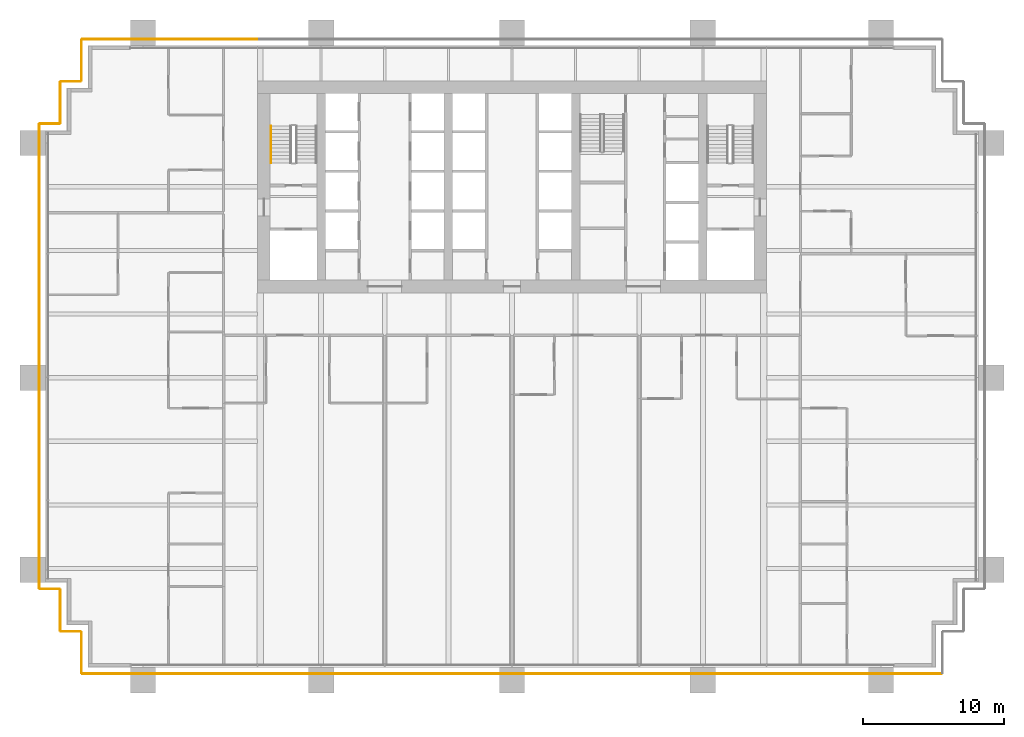
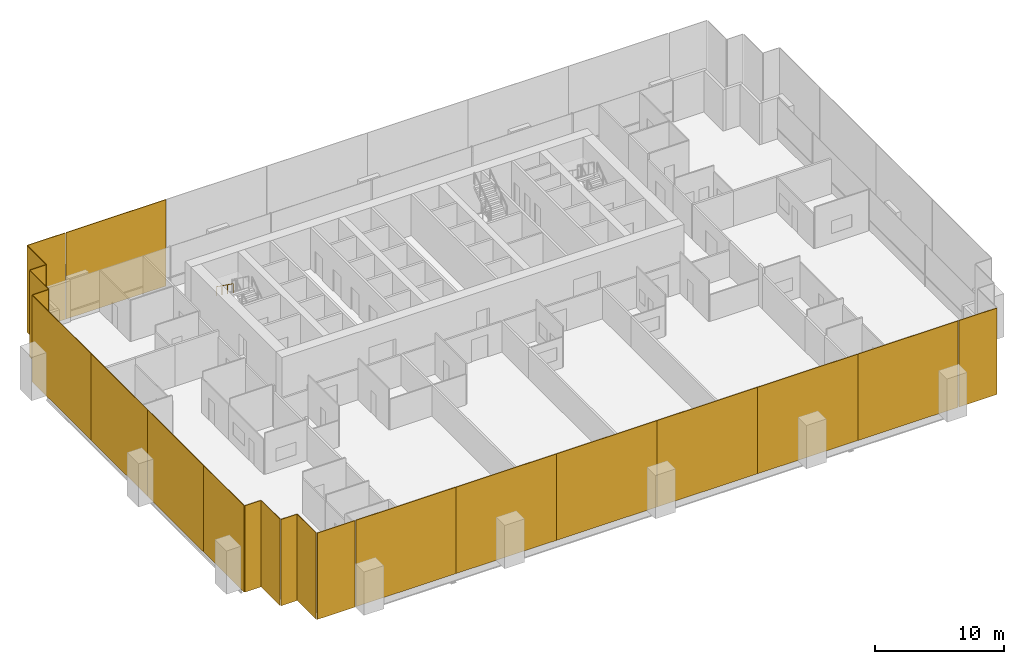
# One storey, part 16 of 18: 22 coverings, 1 railing.
"""IFC4 building model written with IfcOpenShell, lengths in metres."""

from ifc_helpers import new_model, si_unit, direction, frame, origin, origin_2d, place, context, subcontext, project, spatial, rectangle, extrude, material, layer, layer_set, type_object, element, save


model = new_model("IFC4")

# Units and contexts
model_context = context("Model", 3, precision=1e-05, world=origin(), true_north=direction((0.0, 1.0)))
body_context = subcontext(model_context, "Body", "Model", "MODEL_VIEW")
ifc_project = project(units=[si_unit("LENGTHUNIT", "METRE"), si_unit("AREAUNIT", "SQUARE_METRE"), si_unit("VOLUMEUNIT", "CUBIC_METRE"), si_unit("PLANEANGLEUNIT", "RADIAN"), si_unit("MASSUNIT", "GRAM", prefix="KILO")], contexts=[model_context])

# Site, building, storey
site_placement = place(None, origin())
site = spatial("IfcSite", under=ifc_project, at=site_placement, CompositionType="ELEMENT")
building_placement = place(site_placement, origin())
building = spatial("IfcBuilding", under=site, at=building_placement, Name="Rattan Terrace Tower", CompositionType="ELEMENT")
storey_placement = place(building_placement, frame((0.0, 0.0, 32.39990234375)))
storey = spatial("IfcBuildingStorey", under=building, at=storey_placement, Name="L06", CompositionType="ELEMENT", Elevation=32.39990234375)

# Railing
ifc_material_1 = material(Name="Powder-coated steel handrail", Category="steel")
railing_type = type_object("IfcRailingType", Name="Core stair handrail", PredefinedType="HANDRAIL", material=ifc_material_1)
railing_placement = place(storey_placement, frame((-17.050048828125, 4.300048828125, 2.236572265625)))
element("IfcRailing", 1, at=railing_placement, inside=storey, type_object=railing_type, Name="L06 S1 stair handrail 2", PredefinedType="HANDRAIL", context=body_context, shape_type="SweptSolid", body=[
    extrude(rectangle(XDim=0.048095703125, YDim=0.048095703125, at=origin_2d()), frame((0.0, 0.0, 0.8759765625), z_axis=(0.0, -0.812799059333, 0.582544152102), x_axis=(1.0, 0.0, 0.0)), (0.0, 0.0, 1.0), 3.198974609375),
    extrude(rectangle(XDim=0.0419921875, YDim=0.0419921875, at=origin_2d()), origin(), (0.0, 0.0, 1.0), 0.851806640625),
    extrude(rectangle(XDim=0.0419921875, YDim=0.0419921875, at=origin_2d()), frame((0.0, -0.86669921875, 0.62109375)), (0.0, 0.0, 1.0), 0.851806640625),
    extrude(rectangle(XDim=0.0419921875, YDim=0.0419921875, at=origin_2d()), frame((0.0, -1.7333984375, 1.242431640625)), (0.0, 0.0, 1.0), 0.851806640625),
    extrude(rectangle(XDim=0.0419921875, YDim=0.0419921875, at=origin_2d()), frame((0.0, -2.60009765625, 1.863525390625)), (0.0, 0.0, 1.0), 0.851806640625),
])

# Coverings
ifc_material_2 = material(Name="Perforated terracotta", Category="masonry")
ifc_layer = layer(ifc_material_2, 0.06005859375)
ifc_layer_set = layer_set([ifc_layer], Name="Facade Terracotta Screen Panel")
covering_type = type_object("IfcCoveringType", Name="Facade Terracotta Screen Panel", PredefinedType="CLADDING", material=ifc_layer_set)
covering_1_placement = place(storey_placement, frame((28.72509765625, -34.449951171875, -0.18994140625), z_axis=(0.0, 0.0, 1.0), x_axis=(1.0, 0.0, 0.0)))
element("IfcCovering", 2, at=covering_1_placement, inside=storey, type_object=covering_type, Name="OUTER SKIN panel L06-1", PredefinedType="CLADDING", context=body_context, shape_type="SweptSolid", body=[
    extrude(rectangle(XDim=3.3701171875, YDim=0.06005859375, at=origin_2d()), origin(), (0.0, 0.0, 1.0), 8.179931640625),
])
covering_2_placement = place(storey_placement, frame((-22.485107421875, 10.449951171875, -0.18994140625), z_axis=(0.0, 0.0, 1.0), x_axis=(-1.0, 0.0, 0.0)))
element("IfcCovering", 3, at=covering_2_placement, inside=storey, type_object=covering_type, Name="OUTER SKIN panel L06-20", PredefinedType="CLADDING", context=body_context, shape_type="SweptSolid", body=[
    extrude(rectangle(XDim=8.949951171875, YDim=0.06005859375, at=origin_2d()), origin(), (0.0, 0.0, 1.0), 8.179931640625),
])
covering_3_placement = place(storey_placement, frame((-28.72509765625, 10.449951171875, -0.18994140625), z_axis=(0.0, 0.0, 1.0), x_axis=(-1.0, 0.0, 0.0)))
element("IfcCovering", 4, at=covering_3_placement, inside=storey, type_object=covering_type, Name="OUTER SKIN panel L06-21", PredefinedType="CLADDING", context=body_context, shape_type="SweptSolid", body=[
    extrude(rectangle(XDim=3.3701171875, YDim=0.06005859375, at=origin_2d()), origin(), (0.0, 0.0, 1.0), 8.179931640625),
])
covering_4_placement = place(storey_placement, frame((-30.449951171875, 8.949951171875, -0.18994140625), z_axis=(0.0, 0.0, 1.0), x_axis=(0.0, -1.0, 0.0)))
element("IfcCovering", 5, at=covering_4_placement, inside=storey, type_object=covering_type, Name="OUTER SKIN panel L06-22", PredefinedType="CLADDING", context=body_context, shape_type="SweptSolid", body=[
    extrude(rectangle(XDim=2.919921875, YDim=0.06005859375, at=origin_2d()), origin(), (0.0, 0.0, 1.0), 8.179931640625),
])
covering_5_placement = place(storey_placement, frame((-31.199951171875, 7.449951171875, -0.18994140625), z_axis=(0.0, 0.0, 1.0), x_axis=(-1.0, 0.0, 0.0)))
element("IfcCovering", 6, at=covering_5_placement, inside=storey, type_object=covering_type, Name="OUTER SKIN panel L06-23", PredefinedType="CLADDING", context=body_context, shape_type="SweptSolid", body=[
    extrude(rectangle(XDim=1.419921875, YDim=0.06005859375, at=origin_2d()), origin(), (0.0, 0.0, 1.0), 8.179931640625),
])
covering_6_placement = place(storey_placement, frame((-31.949951171875, 5.949951171875, -0.18994140625), z_axis=(0.0, 0.0, 1.0), x_axis=(0.0, -1.0, 0.0)))
element("IfcCovering", 7, at=covering_6_placement, inside=storey, type_object=covering_type, Name="OUTER SKIN panel L06-24", PredefinedType="CLADDING", context=body_context, shape_type="SweptSolid", body=[
    extrude(rectangle(XDim=2.919921875, YDim=0.06005859375, at=origin_2d()), origin(), (0.0, 0.0, 1.0), 8.179931640625),
])
covering_7_placement = place(storey_placement, frame((-32.699951171875, 4.449951171875, -0.18994140625), z_axis=(0.0, 0.0, 1.0), x_axis=(-1.0, 0.0, 0.0)))
element("IfcCovering", 8, at=covering_7_placement, inside=storey, type_object=covering_type, Name="OUTER SKIN panel L06-25", PredefinedType="CLADDING", context=body_context, shape_type="SweptSolid", body=[
    extrude(rectangle(XDim=1.419921875, YDim=0.06005859375, at=origin_2d()), origin(), (0.0, 0.0, 1.0), 8.179931640625),
])
covering_8_placement = place(storey_placement, frame((-33.449951171875, -0.153564453125, -0.18994140625), z_axis=(0.0, 0.0, 1.0), x_axis=(0.0, -1.0, 0.0)))
element("IfcCovering", 9, at=covering_8_placement, inside=storey, type_object=covering_type, Name="OUTER SKIN panel L06-26", PredefinedType="CLADDING", context=body_context, shape_type="SweptSolid", body=[
    extrude(rectangle(XDim=9.126953125, YDim=0.06005859375, at=origin_2d()), origin(), (0.0, 0.0, 1.0), 8.179931640625),
])
for number, where, z_axis, x_axis, name in (
    (10, (-33.449951171875, -9.090576171875, -0.18994140625), (0.0, 0.0, 1.0), (0.0, -1.0, 0.0), "OUTER SKIN panel L06-27"),
    (11, (-33.449951171875, -17.8173828125, -0.18994140625), (0.0, 0.0, 1.0), (0.0, -1.0, 0.0), "OUTER SKIN panel L06-28"),
):
    element("IfcCovering", number, at=place(storey_placement, frame(where, z_axis=z_axis, x_axis=x_axis)), inside=storey, type_object=covering_type, Name=name, PredefinedType="CLADDING", context=body_context, shape_type="SweptSolid", body=[
        extrude(rectangle(XDim=8.70703125, YDim=0.06005859375, at=origin_2d()), origin(), (0.0, 0.0, 1.0), 8.179931640625),
    ])
covering_9_placement = place(storey_placement, frame((-33.449951171875, -25.300537109375, -0.18994140625), z_axis=(0.0, 0.0, 1.0), x_axis=(0.0, -1.0, 0.0)))
element("IfcCovering", 12, at=covering_9_placement, inside=storey, type_object=covering_type, Name="OUTER SKIN panel L06-29", PredefinedType="CLADDING", context=body_context, shape_type="SweptSolid", body=[
    extrude(rectangle(XDim=6.218994140625, YDim=0.06005859375, at=origin_2d()), origin(), (0.0, 0.0, 1.0), 8.179931640625),
])
covering_10_placement = place(storey_placement, frame((-32.699951171875, -28.449951171875, -0.18994140625), z_axis=(0.0, 0.0, 1.0), x_axis=(1.0, 0.0, 0.0)))
element("IfcCovering", 13, at=covering_10_placement, inside=storey, type_object=covering_type, Name="OUTER SKIN panel L06-30", PredefinedType="CLADDING", context=body_context, shape_type="SweptSolid", body=[
    extrude(rectangle(XDim=1.419921875, YDim=0.06005859375, at=origin_2d()), origin(), (0.0, 0.0, 1.0), 8.179931640625),
])
covering_11_placement = place(storey_placement, frame((-31.949951171875, -29.949951171875, -0.18994140625), z_axis=(0.0, 0.0, 1.0), x_axis=(0.0, -1.0, 0.0)))
element("IfcCovering", 14, at=covering_11_placement, inside=storey, type_object=covering_type, Name="OUTER SKIN panel L06-31", PredefinedType="CLADDING", context=body_context, shape_type="SweptSolid", body=[
    extrude(rectangle(XDim=2.919921875, YDim=0.06005859375, at=origin_2d()), origin(), (0.0, 0.0, 1.0), 8.179931640625),
])
covering_12_placement = place(storey_placement, frame((-31.199951171875, -31.449951171875, -0.18994140625), z_axis=(0.0, 0.0, 1.0), x_axis=(1.0, 0.0, 0.0)))
element("IfcCovering", 15, at=covering_12_placement, inside=storey, type_object=covering_type, Name="OUTER SKIN panel L06-32", PredefinedType="CLADDING", context=body_context, shape_type="SweptSolid", body=[
    extrude(rectangle(XDim=1.419921875, YDim=0.06005859375, at=origin_2d()), origin(), (0.0, 0.0, 1.0), 8.179931640625),
])
covering_13_placement = place(storey_placement, frame((-30.449951171875, -32.949951171875, -0.18994140625), z_axis=(0.0, 0.0, 1.0), x_axis=(0.0, -1.0, 0.0)))
element("IfcCovering", 16, at=covering_13_placement, inside=storey, type_object=covering_type, Name="OUTER SKIN panel L06-33", PredefinedType="CLADDING", context=body_context, shape_type="SweptSolid", body=[
    extrude(rectangle(XDim=2.919921875, YDim=0.06005859375, at=origin_2d()), origin(), (0.0, 0.0, 1.0), 8.179931640625),
])
covering_14_placement = place(storey_placement, frame((-28.72509765625, -34.449951171875, -0.18994140625), z_axis=(0.0, 0.0, 1.0), x_axis=(1.0, 0.0, 0.0)))
element("IfcCovering", 17, at=covering_14_placement, inside=storey, type_object=covering_type, Name="OUTER SKIN panel L06-34", PredefinedType="CLADDING", context=body_context, shape_type="SweptSolid", body=[
    extrude(rectangle(XDim=3.3701171875, YDim=0.06005859375, at=origin_2d()), origin(), (0.0, 0.0, 1.0), 8.179931640625),
])
covering_15_placement = place(storey_placement, frame((-22.485107421875, -34.449951171875, -0.18994140625), z_axis=(0.0, 0.0, 1.0), x_axis=(1.0, 0.0, 0.0)))
element("IfcCovering", 18, at=covering_15_placement, inside=storey, type_object=covering_type, Name="OUTER SKIN panel L06-35", PredefinedType="CLADDING", context=body_context, shape_type="SweptSolid", body=[
    extrude(rectangle(XDim=8.949951171875, YDim=0.06005859375, at=origin_2d()), origin(), (0.0, 0.0, 1.0), 8.179931640625),
])
for number, where, z_axis, x_axis, name in (
    (19, (-13.5, -34.449951171875, -0.18994140625), (0.0, 0.0, 1.0), (1.0, 0.0, 0.0), "OUTER SKIN panel L06-36"),
    (20, (-4.5, -34.449951171875, -0.18994140625), (0.0, 0.0, 1.0), (1.0, 0.0, 0.0), "OUTER SKIN panel L06-37"),
    (21, (4.5, -34.449951171875, -0.18994140625), (0.0, 0.0, 1.0), (1.0, 0.0, 0.0), "OUTER SKIN panel L06-38"),
    (22, (13.5, -34.449951171875, -0.18994140625), (0.0, 0.0, 1.0), (1.0, 0.0, 0.0), "OUTER SKIN panel L06-39"),
):
    element("IfcCovering", number, at=place(storey_placement, frame(where, z_axis=z_axis, x_axis=x_axis)), inside=storey, type_object=covering_type, Name=name, PredefinedType="CLADDING", context=body_context, shape_type="SweptSolid", body=[
        extrude(rectangle(XDim=8.97998046875, YDim=0.06005859375, at=origin_2d()), origin(), (0.0, 0.0, 1.0), 8.179931640625),
    ])
covering_16_placement = place(storey_placement, frame((22.485107421875, -34.449951171875, -0.18994140625), z_axis=(0.0, 0.0, 1.0), x_axis=(1.0, 0.0, 0.0)))
element("IfcCovering", 23, at=covering_16_placement, inside=storey, type_object=covering_type, Name="OUTER SKIN panel L06-40", PredefinedType="CLADDING", context=body_context, shape_type="SweptSolid", body=[
    extrude(rectangle(XDim=8.949951171875, YDim=0.06005859375, at=origin_2d()), origin(), (0.0, 0.0, 1.0), 8.179931640625),
])

save(model, "model.ifc")
